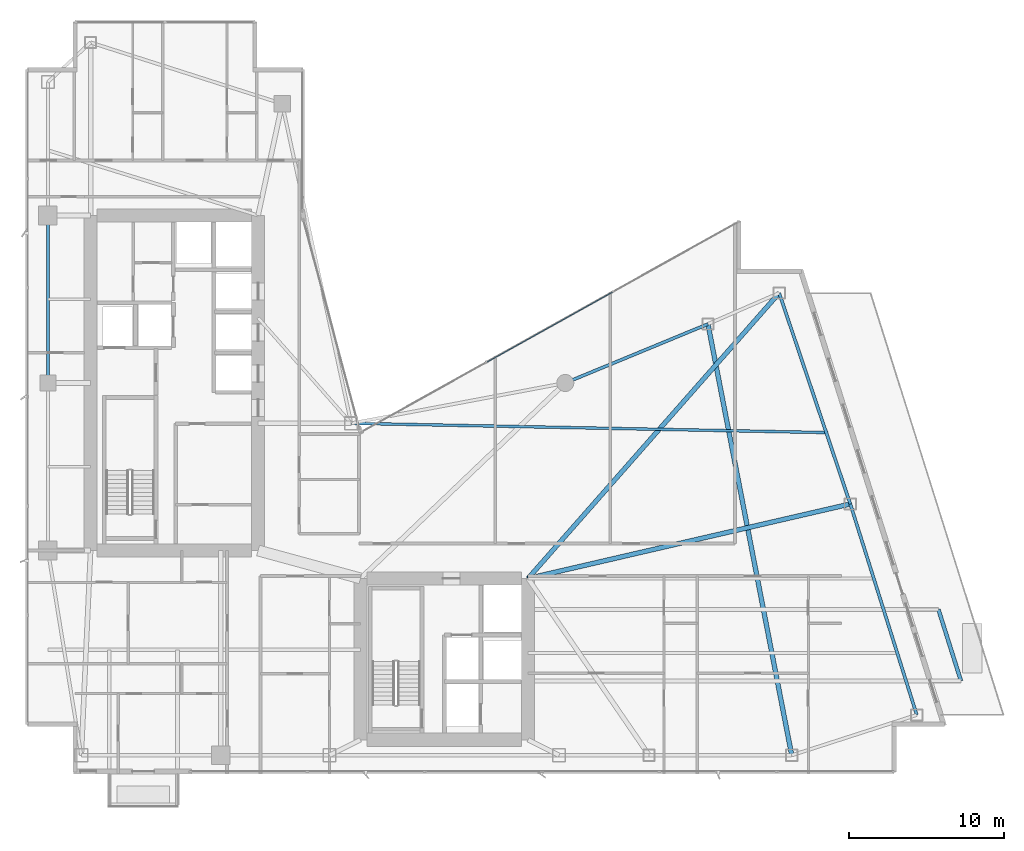
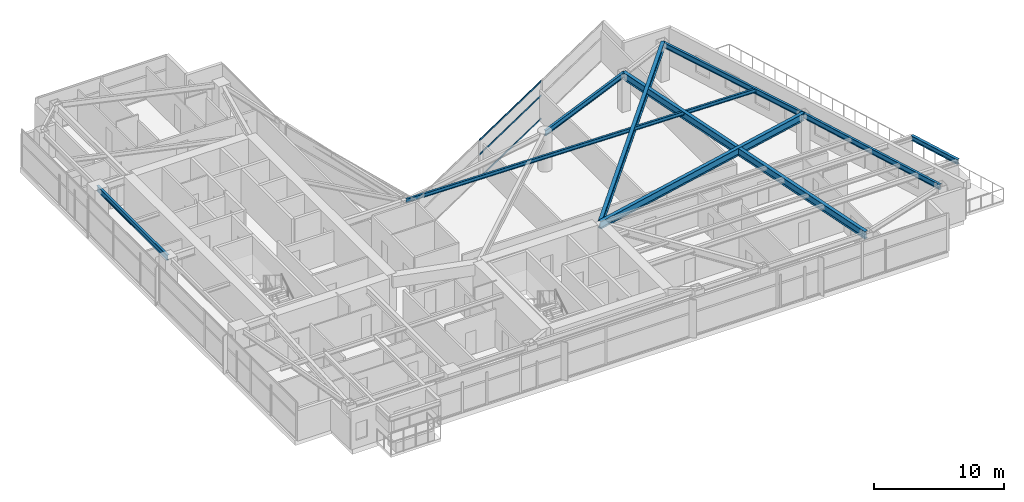
# One storey, part 15 of 28: 9 beams, 3 members, 1 element without a shape of its own.
"""IFC4 building model written with IfcOpenShell, lengths in metres."""

import ifcopenshell
import ifcopenshell.guid

model = None  # the IFC model being written
_history = None  # IfcOwnerHistory: only IFC2X3 demands one
_inside = {}  # id of a spatial element -> (the spatial element, [elements in it])
_under = {}  # id of a project, library or spatial element -> (it, [spatial elements below it])
_declared = {}  # id of a project -> (the project, [libraries it declares])
_typed = {}  # id of a type object -> (the type object, [elements of that type])
_made_of = {}  # id of a material, layer set ... -> (it, [elements and type objects made of it])


def new_model(schema):
    """Start an empty IFC model of exactly this schema.

    Asked for "IFC4X3", IfcOpenShell would pick the latest addendum, in which some entities
    have other attributes; the version numbers below select the first issue.
    IFC2X3 requires an IfcOwnerHistory on every rooted entity: one is made here for all.
    """
    global model, _history
    if schema == "IFC4X3":
        model = ifcopenshell.file(schema_version=(4, 3, 0, 0))
    else:
        model = ifcopenshell.file(schema=schema)
    _inside.clear()
    _under.clear()
    _declared.clear()
    _typed.clear()
    _made_of.clear()
    _history = None
    if model.schema == "IFC2X3":
        org = make("IfcOrganization", Name="unknown")
        user = make(
            "IfcPersonAndOrganization",
            ThePerson=make("IfcPerson", FamilyName="unknown"),
            TheOrganization=org,
        )
        app = make(
            "IfcApplication",
            ApplicationDeveloper=org,
            Version="unknown",
            ApplicationFullName="unknown",
            ApplicationIdentifier="unknown",
        )
        _history = make(
            "IfcOwnerHistory",
            OwningUser=user,
            OwningApplication=app,
            ChangeAction="ADDED",
            CreationDate=0,
        )
    return model


def make(cls, **values):
    """One entity of the class cls with the attributes given. An attribute that is None is left unset."""
    return model.create_entity(
        cls, **{name: value for name, value in values.items() if value is not None}
    )


def rooted(cls, **values):
    """An entity with a GlobalId (a new one), such as an element, a storey or a relation."""
    return make(cls, GlobalId=ifcopenshell.guid.new(), OwnerHistory=_history, **values)


def si_unit(unit_type, name, prefix=None):
    """IfcSIUnit, for example si_unit("LENGTHUNIT", "METRE", prefix="MILLI")."""
    return make("IfcSIUnit", UnitType=unit_type, Prefix=prefix, Name=name)


def assignment(units):
    """IfcUnitAssignment: the units of a project."""
    return None if units is None else make("IfcUnitAssignment", Units=units)


def point(xyz):
    """IfcCartesianPoint."""
    return None if xyz is None else make("IfcCartesianPoint", Coordinates=xyz)


def direction(xyz):
    """IfcDirection."""
    return None if xyz is None else make("IfcDirection", DirectionRatios=xyz)


def frame(location, z_axis=None, x_axis=None):
    """IfcAxis2Placement3D, a coordinate frame: its origin and axes. An axis left out is left unset."""
    return make(
        "IfcAxis2Placement3D",
        Location=point(location),
        Axis=direction(z_axis),
        RefDirection=direction(x_axis),
    )


def frame_2d(location, x_axis=None):
    """IfcAxis2Placement2D, a coordinate frame in the plane: its origin and x axis."""
    return make(
        "IfcAxis2Placement2D", Location=point(location), RefDirection=direction(x_axis)
    )


def origin():
    """The frame at (0, 0, 0) with its axes left unset."""
    return frame((0.0, 0.0, 0.0))


def origin_2d():
    """The frame at (0, 0) in the plane with its x axis left unset."""
    return frame_2d((0.0, 0.0))


def place(relative_to, where):
    """IfcLocalPlacement: puts the frame where relative to a parent placement (None: the world)."""
    return make(
        "IfcLocalPlacement", PlacementRelTo=relative_to, RelativePlacement=where
    )


def context(
    kind, dimensions, precision=None, world=None, true_north=None, identifier=None
):
    """IfcGeometricRepresentationContext, for example the 3D "Model" context."""
    return make(
        "IfcGeometricRepresentationContext",
        ContextIdentifier=identifier,
        ContextType=kind,
        CoordinateSpaceDimension=dimensions,
        Precision=precision,
        WorldCoordinateSystem=world,
        TrueNorth=true_north,
    )


def subcontext(parent, identifier, kind, view, scale=None):
    """IfcGeometricRepresentationSubContext, for example "Body" below "Model"."""
    return make(
        "IfcGeometricRepresentationSubContext",
        ContextIdentifier=identifier,
        ContextType=kind,
        ParentContext=parent,
        TargetScale=scale,
        TargetView=view,
    )


def project(units=None, contexts=None):
    """IfcProject with its units and contexts."""
    return rooted(
        "IfcProject",
        Name="project",
        RepresentationContexts=contexts,
        UnitsInContext=assignment(units),
    )


def spatial(cls, under=None, at=None, **own):
    """A site, building, storey or space (cls), placed at a placement, below another one or the project."""
    s = rooted(cls, ObjectPlacement=at, **own)
    if under is not None:
        _under.setdefault(under.id(), (under, []))[1].append(s)
    return s


def profile(cls, at=None, kind="AREA", **sizes):
    """A parametric profile (cls). Its sizes go by their IFC names, for example OverallWidth=200.0."""
    return make(cls, ProfileType=kind, Position=at, **sizes)


def hollow_rectangle(**sizes):
    """IfcRectangleHollowProfileDef."""
    return profile("IfcRectangleHollowProfileDef", **sizes)


def i_section(**sizes):
    """IfcIShapeProfileDef."""
    return profile("IfcIShapeProfileDef", **sizes)


def extrude(swept, where, along, depth):
    """IfcExtrudedAreaSolid: the profile swept, set in the frame where, extruded along a direction by depth."""
    return make(
        "IfcExtrudedAreaSolid",
        SweptArea=swept,
        Position=where,
        ExtrudedDirection=direction(along),
        Depth=depth,
    )


def shape(context_of_items, identifier, shape_type, items):
    """IfcShapeRepresentation: the items that make up one representation, for example the "Body"."""
    return make(
        "IfcShapeRepresentation",
        ContextOfItems=context_of_items,
        RepresentationIdentifier=identifier,
        RepresentationType=shape_type,
        Items=items,
    )


def material(Name=None, Category=None):
    """IfcMaterial."""
    return make("IfcMaterial", Name=Name, Category=Category)


def layer(
    of_material, thickness, ventilated=None, Name=None, Category=None, Priority=None
):
    """IfcMaterialLayer: one layer of a wall or slab, of a material (None: an air gap)."""
    return make(
        "IfcMaterialLayer",
        Material=of_material,
        LayerThickness=thickness,
        IsVentilated=ventilated,
        Name=Name,
        Category=Category,
        Priority=Priority,
    )


def layer_set(layers, Name=None):
    """IfcMaterialLayerSet."""
    return make("IfcMaterialLayerSet", MaterialLayers=layers, LayerSetName=Name)


def material_profile(
    of_material, cross_section, Name=None, Category=None, Priority=None
):
    """IfcMaterialProfile: a cross section and its material."""
    return make(
        "IfcMaterialProfile",
        Name=Name,
        Material=of_material,
        Profile=cross_section,
        Priority=Priority,
        Category=Category,
    )


def profile_set(profiles, Name=None, composite=None):
    """IfcMaterialProfileSet."""
    return make(
        "IfcMaterialProfileSet",
        Name=Name,
        MaterialProfiles=profiles,
        CompositeProfile=composite,
    )


def made_of(thing, what):
    """Note that an element or type object is made of a material, layer set ...; save() writes the relation."""
    if what is not None:
        _made_of.setdefault(what.id(), (what, []))[1].append(thing)
    return thing


def type_object(cls, material=None, **own):
    """A type object (cls), such as IfcWallType, which elements share."""
    return made_of(rooted(cls, **own), material)


def element(
    cls,
    number,
    at=None,
    inside=None,
    cuts=None,
    type_object=None,
    material=None,
    context=None,
    identifier="Body",
    shape_type=None,
    held_by="IfcProductDefinitionShape",
    body=None,
    shapes=None,
    **own,
):
    """One element of the class cls, such as IfcWall. Its Tag is "e" and its number.

    at: its placement. inside: the storey or other place that contains it. cuts: it is an
    opening in that element (IfcRelVoidsElement). A single representation is given by context,
    identifier, shape_type and body (its items); several are given by shapes. held_by: the class
    of the entity that holds the representations. save() writes the other relations.
    """
    e = rooted(cls, Tag="e%d" % number, ObjectPlacement=at, **own)
    if body is not None:
        shapes = [shape(context, identifier, shape_type, body)]
    if shapes is not None:
        e.Representation = make(held_by, Representations=shapes)
    if inside is not None:
        _inside.setdefault(inside.id(), (inside, []))[1].append(e)
    if cuts is not None:
        rooted(
            "IfcRelVoidsElement", RelatingBuildingElement=cuts, RelatedOpeningElement=e
        )
    if type_object is not None:
        _typed.setdefault(type_object.id(), (type_object, []))[1].append(e)
    return made_of(e, material)


def aggregate(whole, parts):
    """IfcRelAggregates: a whole, such as a stair, and the parts it consists of."""
    return rooted("IfcRelAggregates", RelatingObject=whole, RelatedObjects=parts)


def save(model, path):
    """Write the relations noted so far, then the file.

    IfcRelAggregates (storeys below a building ...), IfcRelContainedInSpatialStructure (elements
    in a storey), IfcRelDefinesByType, IfcRelAssociatesMaterial and IfcRelDeclares: one each for
    every whole, place, type object, material and project.
    """
    for whole, parts in _under.values():
        aggregate(whole, parts)
    for where, things in _inside.values():
        rooted(
            "IfcRelContainedInSpatialStructure",
            RelatedElements=things,
            RelatingStructure=where,
        )
    for kind, things in _typed.values():
        rooted("IfcRelDefinesByType", RelatedObjects=things, RelatingType=kind)
    for what, things in _made_of.values():
        rooted("IfcRelAssociatesMaterial", RelatedObjects=things, RelatingMaterial=what)
    for by, libraries in _declared.values():
        rooted("IfcRelDeclares", RelatingContext=by, RelatedDefinitions=libraries)
    model.write(path)


model = new_model("IFC4")

# Units and contexts
model_context = context("Model", 3, precision=1e-05, world=origin(), true_north=direction((0.0, 1.0)))
body_context = subcontext(model_context, "Body", "Model", "MODEL_VIEW")
ifc_project = project(units=[si_unit("LENGTHUNIT", "METRE"), si_unit("AREAUNIT", "SQUARE_METRE"), si_unit("VOLUMEUNIT", "CUBIC_METRE"), si_unit("PLANEANGLEUNIT", "RADIAN"), si_unit("MASSUNIT", "GRAM", prefix="KILO")], contexts=[model_context])

# Site, building, storey
site_placement = place(None, origin())
site = spatial("IfcSite", under=ifc_project, at=site_placement, CompositionType="ELEMENT")
building_placement = place(site_placement, origin())
building = spatial("IfcBuilding", under=site, at=building_placement, Name="Calvorn Quay Hotel", CompositionType="ELEMENT")
storey_placement = place(building_placement, frame((0.0, 0.0, 97.39990234375)))
storey = spatial("IfcBuildingStorey", under=building, at=storey_placement, Name="L23", CompositionType="ELEMENT", Elevation=97.39990234375)

# Beams
ifc_material_1 = material(Name="Steel Q355B", Category="steel")
ifc_material_profile_1 = material_profile(ifc_material_1, i_section(OverallWidth=0.25, OverallDepth=0.449951171875, WebThickness=0.011962890625, FlangeThickness=0.01611328125, FilletRadius=0.01611328125, at=origin_2d()), Name="HN450x250x12x16")
ifc_profile_set_1 = profile_set([ifc_material_profile_1], Name="Steel Q355B")
beam_type_1 = type_object("IfcBeamType", Name="BM-CANT-BALC", PredefinedType="BEAM", material=ifc_profile_set_1)
beam_1_placement = place(storey_placement, frame((60.30810546875, 8.39990234375, 3.315185546875), z_axis=(-0.300666214801, 0.953729430854, 0.0), x_axis=(-0.953729430854, -0.300666214801, 0.0)))
element("IfcBeam", 1, at=beam_1_placement, inside=storey, type_object=beam_type_1, Name="Beam BCBO-L24-1", PredefinedType="BEAM", context=body_context, shape_type="SweptSolid", body=[
    extrude(i_section(OverallWidth=0.25, OverallDepth=0.449951171875, WebThickness=0.011962890625, FlangeThickness=0.01611328125, FilletRadius=0.01611328125, at=origin_2d()), origin(), (0.0, 0.0, 1.0), 4.8232421875),
])
ifc_material_2 = material(Name="Steel Q390GJC", Category="steel")
ifc_material_profile_2 = material_profile(ifc_material_2, i_section(OverallWidth=0.300048828125, OverallDepth=0.699951171875, WebThickness=0.012939453125, FlangeThickness=0.02392578125, FilletRadius=0.02392578125, at=origin_2d()), Name="HN700x300x13x24")
ifc_profile_set_2 = profile_set([ifc_material_profile_2], Name="Steel Q390GJC")
beam_type_2 = type_object("IfcBeamType", Name="BM-GIRD-MAIN", PredefinedType="BEAM", material=ifc_profile_set_2)
beam_2_placement = place(storey_placement, frame((32.39990234375, 15.0, 3.190185546875), z_axis=(0.974334045812, 0.225107012711, 0.0), x_axis=(-0.225107012711, 0.974334045812, 0.0)))
element("IfcBeam", 2, at=beam_2_placement, inside=storey, type_object=beam_type_2, Name="Beam BG-L23-E2", PredefinedType="BEAM", context=body_context, shape_type="SweptSolid", body=[
    extrude(i_section(OverallWidth=0.300048828125, OverallDepth=0.699951171875, WebThickness=0.012939453125, FlangeThickness=0.02392578125, FilletRadius=0.02392578125, at=origin_2d()), origin(), (0.0, 0.0, 1.0), 21.323486328125),
])
beam_3_placement = place(storey_placement, frame((32.39990234375, 15.0, 3.190185546875), z_axis=(0.660610604248, 0.750728732336, 0.0), x_axis=(-0.750728732336, 0.660610604248, 0.0)))
element("IfcBeam", 3, at=beam_3_placement, inside=storey, type_object=beam_type_2, Name="Beam BG-L23-E3", PredefinedType="BEAM", context=body_context, shape_type="SweptSolid", body=[
    extrude(i_section(OverallWidth=0.300048828125, OverallDepth=0.699951171875, WebThickness=0.012939453125, FlangeThickness=0.02392578125, FilletRadius=0.02392578125, at=origin_2d()), origin(), (0.0, 0.0, 1.0), 24.50927734375),
])
beam_4_placement = place(storey_placement, frame((49.39990234375, 3.60009765625, 3.190185546875), z_axis=(-0.190678596862, 0.981652521363, 0.0), x_axis=(-0.981652521363, -0.190678596862, 0.0)))
element("IfcBeam", 4, at=beam_4_placement, inside=storey, type_object=beam_type_2, Name="Beam BG-L23-E5", PredefinedType="BEAM", context=body_context, shape_type="SweptSolid", body=[
    extrude(i_section(OverallWidth=0.300048828125, OverallDepth=0.699951171875, WebThickness=0.012939453125, FlangeThickness=0.02392578125, FilletRadius=0.02392578125, at=origin_2d()), origin(), (0.0, 0.0, 1.0), 28.3193359375),
])
ifc_material_3 = material(Name="Steel Q355B", Category="steel")
ifc_material_profile_3 = material_profile(ifc_material_3, i_section(OverallWidth=0.175048828125, OverallDepth=0.35009765625, WebThickness=0.007080078125, FlangeThickness=0.010986328125, FilletRadius=0.013916015625, at=origin_2d()), Name="HN350x175x7x11")
ifc_profile_set_3 = profile_set([ifc_material_profile_3], Name="Steel Q355B")
beam_type_3 = type_object("IfcBeamType", Name="BM-JOIST-SEC", PredefinedType="JOIST", material=ifc_profile_set_3)
beam_5_placement = place(storey_placement, frame((21.0, 25.0, 3.364990234375), z_axis=(0.999809345134, -0.019526222968, 0.0), x_axis=(0.019526222968, 0.999809345134, 0.0)))
element("IfcBeam", 5, at=beam_5_placement, inside=storey, type_object=beam_type_3, Name="Beam BJ-L23-E3", PredefinedType="JOIST", context=body_context, shape_type="SweptSolid", body=[
    extrude(i_section(OverallWidth=0.175048828125, OverallDepth=0.35009765625, WebThickness=0.007080078125, FlangeThickness=0.010986328125, FilletRadius=0.013916015625, at=origin_2d()), origin(), (0.0, 0.0, 1.0), 30.73291015625),
])
ifc_material_4 = material(Name="Steel Q355B", Category="steel")
ifc_material_profile_4 = material_profile(ifc_material_4, i_section(OverallWidth=0.199951171875, OverallDepth=0.5, WebThickness=0.010009765625, FlangeThickness=0.01611328125, FilletRadius=0.01611328125, at=origin_2d()), Name="HN500x200x10x16")
ifc_profile_set_4 = profile_set([ifc_material_profile_4], Name="Steel Q355B")
beam_type_4 = type_object("IfcBeamType", Name="BM-SPANDREL-Z1", PredefinedType="SPANDREL", material=ifc_profile_set_4)
beam_6_placement = place(storey_placement, frame((1.449951171875, 27.60009765625, 3.2900390625), z_axis=(0.0, 1.0, 0.0), x_axis=(-1.0, 0.0, 0.0)))
element("IfcBeam", 6, at=beam_6_placement, inside=storey, type_object=beam_type_4, Name="Beam BSP-L23-W3", PredefinedType="SPANDREL", context=body_context, shape_type="SweptSolid", body=[
    extrude(i_section(OverallWidth=0.199951171875, OverallDepth=0.5, WebThickness=0.010009765625, FlangeThickness=0.01611328125, FilletRadius=0.01611328125, at=origin_2d()), origin(), (0.0, 0.0, 1.0), 10.7998046875),
])
beam_7_placement = place(storey_placement, frame((57.4609375, 6.199951171875, 3.2900390625), z_axis=(-0.300502802767, 0.953780931624, 0.0), x_axis=(-0.953780931624, -0.300502802767, 0.0)))
element("IfcBeam", 7, at=beam_7_placement, inside=storey, type_object=beam_type_4, Name="Beam BSP-L23-E1", PredefinedType="SPANDREL", context=body_context, shape_type="SweptSolid", body=[
    extrude(i_section(OverallWidth=0.199951171875, OverallDepth=0.5, WebThickness=0.010009765625, FlangeThickness=0.01611328125, FilletRadius=0.01611328125, at=origin_2d()), origin(), (0.0, 0.0, 1.0), 14.259033203125),
])
beam_8_placement = place(storey_placement, frame((53.176025390625, 19.800048828125, 3.2900390625), z_axis=(-0.319466515944, 0.947597564998, 0.0), x_axis=(-0.947597564998, -0.319466515944, 0.0)))
element("IfcBeam", 8, at=beam_8_placement, inside=storey, type_object=beam_type_4, Name="Beam BSP-L23-E2", PredefinedType="SPANDREL", context=body_context, shape_type="SweptSolid", body=[
    extrude(i_section(OverallWidth=0.199951171875, OverallDepth=0.5, WebThickness=0.010009765625, FlangeThickness=0.01611328125, FilletRadius=0.01611328125, at=origin_2d()), origin(), (0.0, 0.0, 1.0), 14.35205078125),
])
beam_9_placement = place(storey_placement, frame((44.0, 31.39990234375, 3.2900390625), z_axis=(-0.92426763497, -0.381745123017, 0.0), x_axis=(0.381745123017, -0.92426763497, 0.0)))
element("IfcBeam", 9, at=beam_9_placement, inside=storey, type_object=beam_type_4, Name="Beam BSP-L23-E4", PredefinedType="SPANDREL", context=body_context, shape_type="SweptSolid", body=[
    extrude(i_section(OverallWidth=0.199951171875, OverallDepth=0.5, WebThickness=0.010009765625, FlangeThickness=0.01611328125, FilletRadius=0.01611328125, at=origin_2d()), origin(), (0.0, 0.0, 1.0), 9.953857421875),
])

# Curtain wall, members
ifc_material_5 = material(Name="Pale Anodised Aluminium and Low-E Glass", Category="aluminium")
ifc_layer = layer(ifc_material_5, 0.219970703125)
ifc_layer_set = layer_set([ifc_layer], Name="CW-SYS-Z2")
curtain_wall_type = type_object("IfcCurtainWallType", Name="CW-SYS-Z2", PredefinedType="NOTDEFINED", material=ifc_layer_set)
curtain_wall_placement = place(storey_placement, origin())
curtain_wall = element("IfcCurtainWall", 10, at=curtain_wall_placement, inside=storey, type_object=curtain_wall_type, Name="Inner Court Curtain Wall L23-NE1", PredefinedType="NOTDEFINED")
ifc_material_6 = material(Name="Pale Anodised Aluminium 6063-T6", Category="aluminium")
ifc_material_profile_5 = material_profile(ifc_material_6, hollow_rectangle(XDim=0.06005859375, YDim=0.14990234375, WallThickness=0.00341796875, at=origin_2d()), Name="ALU-T150x60x3.5")
ifc_profile_set_5 = profile_set([ifc_material_profile_5], Name="Pale Anodised Aluminium 6063-T6")
member_type = type_object("IfcMemberType", Name="CW-SYS-Z2-TRN", PredefinedType="USERDEFINED", material=ifc_profile_set_5)
member_1_placement = place(storey_placement, frame((37.840576171875, 33.4521484375, 0.030029296875), z_axis=(-0.873483012802, -0.486854625474, 0.0), x_axis=(0.486854625474, -0.873483012802, 0.0)))
member_1 = element("IfcMember", 11, at=member_1_placement, type_object=member_type, Name="CW-L23-NE1 transom 2.1", ObjectType="TRANSOM", PredefinedType="USERDEFINED", context=body_context, shape_type="SweptSolid", body=[
    extrude(hollow_rectangle(XDim=0.06005859375, YDim=0.14990234375, WallThickness=0.00341796875, at=origin_2d()), origin(), (0.0, 0.0, 1.0), 9.25146484375),
])
member_2_placement = place(storey_placement, frame((37.840576171875, 33.4521484375, 2.2001953125), z_axis=(-0.873483012802, -0.486854625474, 0.0), x_axis=(0.486854625474, -0.873483012802, 0.0)))
member_2 = element("IfcMember", 12, at=member_2_placement, type_object=member_type, Name="CW-L23-NE1 transom 2.2", ObjectType="TRANSOM", PredefinedType="USERDEFINED", context=body_context, shape_type="SweptSolid", body=[
    extrude(hollow_rectangle(XDim=0.06005859375, YDim=0.14990234375, WallThickness=0.00341796875, at=origin_2d()), origin(), (0.0, 0.0, 1.0), 9.25146484375),
])
member_3_placement = place(storey_placement, frame((37.840576171875, 33.4521484375, 3.530029296875), z_axis=(-0.873483012802, -0.486854625474, 0.0), x_axis=(0.486854625474, -0.873483012802, 0.0)))
member_3 = element("IfcMember", 13, at=member_3_placement, type_object=member_type, Name="CW-L23-NE1 transom 2.3", ObjectType="TRANSOM", PredefinedType="USERDEFINED", context=body_context, shape_type="SweptSolid", body=[
    extrude(hollow_rectangle(XDim=0.06005859375, YDim=0.14990234375, WallThickness=0.00341796875, at=origin_2d()), origin(), (0.0, 0.0, 1.0), 9.25146484375),
])
aggregate(curtain_wall, [member_1, member_2, member_3])

save(model, "model.ifc")
